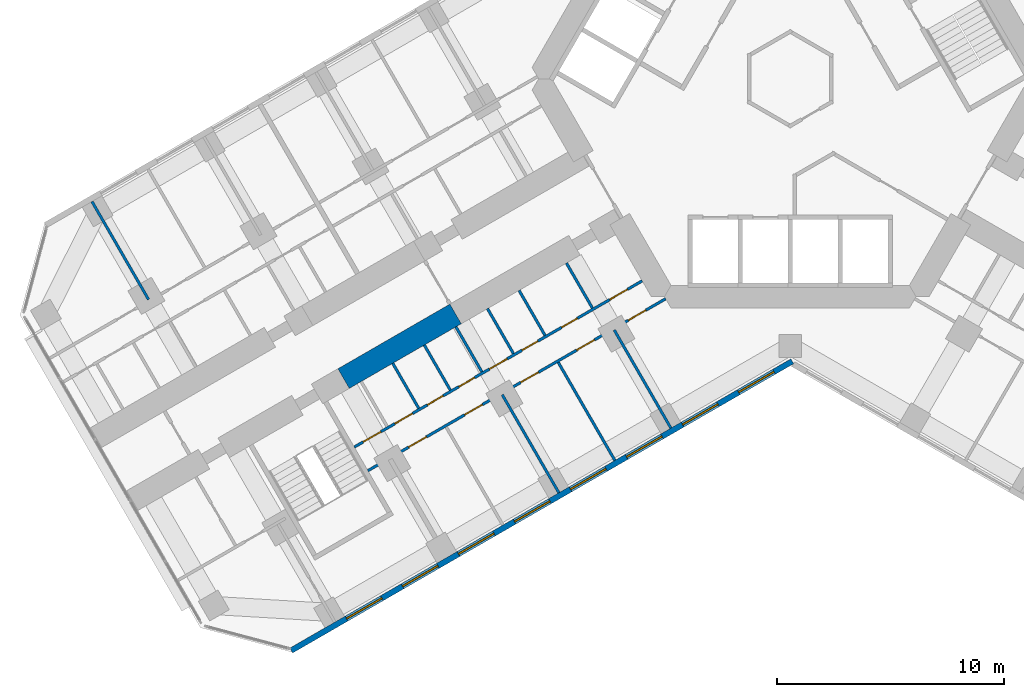
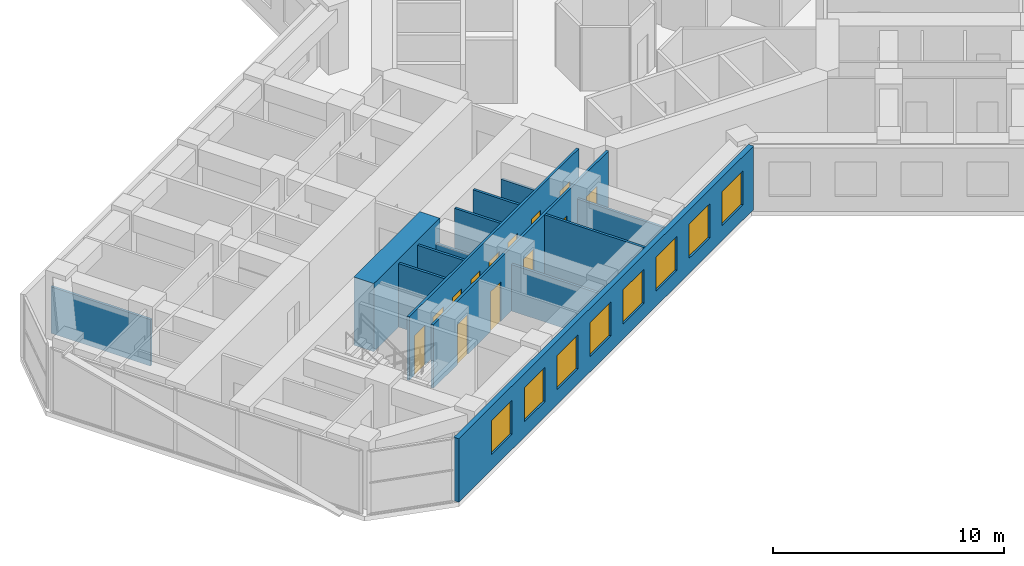
# One storey, part 11 of 21: 14 walls, 13 doors, 8 windows, 21 openings.
"""IFC4 building model written with IfcOpenShell, lengths in metres."""

from ifc_helpers import new_model, si_unit, direction, frame, frame_2d, origin, place, context, subcontext, project, spatial, rectangle, extrude, material, layer, layer_set, type_object, element, fill, save


model = new_model("IFC4")

# Units and contexts
model_context = context("Model", 3, precision=1e-05, world=origin(), true_north=direction((0.0, 1.0)))
body_context = subcontext(model_context, "Body", "Model", "MODEL_VIEW")
ifc_project = project(units=[si_unit("LENGTHUNIT", "METRE"), si_unit("AREAUNIT", "SQUARE_METRE"), si_unit("VOLUMEUNIT", "CUBIC_METRE"), si_unit("PLANEANGLEUNIT", "RADIAN"), si_unit("MASSUNIT", "GRAM", prefix="KILO")], contexts=[model_context])

# Site, building, storey
site_placement = place(None, origin())
site = spatial("IfcSite", under=ifc_project, at=site_placement, CompositionType="ELEMENT")
building_placement = place(site_placement, origin())
building = spatial("IfcBuilding", under=site, at=building_placement, Name="Kosmar Iwan School Tower", CompositionType="ELEMENT")
storey_placement = place(building_placement, frame((0.0, 0.0, 57.39990234375)))
storey = spatial("IfcBuildingStorey", under=building, at=storey_placement, Name="L13", CompositionType="ELEMENT", Elevation=57.39990234375)

# Wall
ifc_material_1 = material(Name="Concrete C50/60", Category="concrete")
ifc_layer_1 = layer(ifc_material_1, 1.0)
ifc_layer_set_1 = layer_set([ifc_layer_1], Name="Corridor buttress wall 1000")
wall_type_1 = type_object("IfcWallType", Name="Corridor buttress wall 1000", PredefinedType="SHEAR", material=ifc_layer_set_1)
wall_1_placement = place(storey_placement, frame((-14.7451171875, -10.360595703125, 0.0), z_axis=(0.0, 0.0, 1.0), x_axis=(-0.866015111908, -0.50001782563, 0.0)))
element("IfcWall", 1, at=wall_1_placement, inside=storey, type_object=wall_type_1, Name="Corridor wall BL bay 2", PredefinedType="SHEAR", context=body_context, shape_type="SweptSolid", body=[
    extrude(rectangle(XDim=5.699951171875, YDim=1.0, at=frame_2d((2.85009765625, 0.0))), origin(), (0.0, 0.0, 1.0), 3.60009765625),
])

# Wall, openings, doors
ifc_material_2 = material(Name="Gypsum board on steel studs", Category="steel")
ifc_layer_2 = layer(ifc_material_2, 0.1201171875)
ifc_layer_set_2 = layer_set([ifc_layer_2], Name="Dwelling partition 120")
wall_type_2 = type_object("IfcWallType", Name="Dwelling partition 120", PredefinedType="PARTITIONING", material=ifc_layer_set_2)
wall_2_placement = place(storey_placement, frame((-6.521728515625, -8.90380859375, 0.0), z_axis=(0.0, 0.0, 1.0), x_axis=(-0.866030734856, -0.4999907662, 0.0)))
wall_2 = element("IfcWall", 2, at=wall_2_placement, inside=storey, type_object=wall_type_2, Name="Partition L13-BL1-W1", PredefinedType="PARTITIONING", context=body_context, shape_type="SweptSolid", body=[
    extrude(rectangle(XDim=14.650146484375, YDim=0.1201171875, at=frame_2d((7.3251953125, 0.0))), origin(), (0.0, 0.0, 1.0), 3.35009765625),
])
opening_1_placement = place(wall_2_placement, frame((0.75, 0.0, 0.0)))
opening_1 = element("IfcOpeningElement", 3, at=opening_1_placement, cuts=wall_2, Name="Opening D2", PredefinedType="OPENING", context=body_context, shape_type="SweptSolid", body=[
    extrude(rectangle(XDim=0.89990234375, YDim=2.10009765625, at=frame_2d((0.449951171875, 1.050048828125))), frame((0.0, 0.072021484375, 0.0), z_axis=(0.0, -1.0, 0.0), x_axis=(1.0, 0.0, 0.0)), (0.0, 0.0, 1.0), 0.14404296875),
])
opening_2_placement = place(wall_2_placement, frame((3.304931640625, 0.0, 0.0)))
opening_2 = element("IfcOpeningElement", 4, at=opening_2_placement, cuts=wall_2, Name="Opening D3", PredefinedType="OPENING", context=body_context, shape_type="SweptSolid", body=[
    extrude(rectangle(XDim=0.800048828125, YDim=2.10009765625, at=frame_2d((0.39990234375, 1.050048828125))), frame((0.0, 0.072021484375, 0.0), z_axis=(0.0, -1.0, 0.0), x_axis=(1.0, 0.0, 0.0)), (0.0, 0.0, 1.0), 0.14404296875),
])
opening_3_placement = place(wall_2_placement, frame((5.313232421875, 0.0, 0.0)))
opening_3 = element("IfcOpeningElement", 5, at=opening_3_placement, cuts=wall_2, Name="Opening D3", PredefinedType="OPENING", context=body_context, shape_type="SweptSolid", body=[
    extrude(rectangle(XDim=0.800048828125, YDim=2.10009765625, at=frame_2d((0.39990234375, 1.050048828125))), frame((0.0, 0.072021484375, 0.0), z_axis=(0.0, -1.0, 0.0), x_axis=(1.0, 0.0, 0.0)), (0.0, 0.0, 1.0), 0.14404296875),
])
opening_4_placement = place(wall_2_placement, frame((6.8701171875, 0.0, 0.0)))
opening_4 = element("IfcOpeningElement", 6, at=opening_4_placement, cuts=wall_2, Name="Opening D2", PredefinedType="OPENING", context=body_context, shape_type="SweptSolid", body=[
    extrude(rectangle(XDim=0.89990234375, YDim=2.10009765625, at=frame_2d((0.449951171875, 1.050048828125))), frame((0.0, 0.072021484375, 0.0), z_axis=(0.0, -1.0, 0.0), x_axis=(1.0, 0.0, 0.0)), (0.0, 0.0, 1.0), 0.14404296875),
])
opening_5_placement = place(wall_2_placement, frame((8.526611328125, 0.0, 0.0)))
opening_5 = element("IfcOpeningElement", 7, at=opening_5_placement, cuts=wall_2, Name="Opening D3", PredefinedType="OPENING", context=body_context, shape_type="SweptSolid", body=[
    extrude(rectangle(XDim=0.800048828125, YDim=2.10009765625, at=frame_2d((0.39990234375, 1.050048828125))), frame((0.0, 0.072021484375, 0.0), z_axis=(0.0, -1.0, 0.0), x_axis=(1.0, 0.0, 0.0)), (0.0, 0.0, 1.0), 0.14404296875),
])
opening_6_placement = place(wall_2_placement, frame((10.13330078125, 0.0, 0.0)))
opening_6 = element("IfcOpeningElement", 8, at=opening_6_placement, cuts=wall_2, Name="Opening D3", PredefinedType="OPENING", context=body_context, shape_type="SweptSolid", body=[
    extrude(rectangle(XDim=0.800048828125, YDim=2.10009765625, at=frame_2d((0.39990234375, 1.050048828125))), frame((0.0, 0.072021484375, 0.0), z_axis=(0.0, -1.0, 0.0), x_axis=(1.0, 0.0, 0.0)), (0.0, 0.0, 1.0), 0.14404296875),
])
opening_7_placement = place(wall_2_placement, frame((11.68994140625, 0.0, 0.0)))
opening_7 = element("IfcOpeningElement", 9, at=opening_7_placement, cuts=wall_2, Name="Opening D2", PredefinedType="OPENING", context=body_context, shape_type="SweptSolid", body=[
    extrude(rectangle(XDim=0.89990234375, YDim=2.10009765625, at=frame_2d((0.449951171875, 1.050048828125))), frame((0.0, 0.072021484375, 0.0), z_axis=(0.0, -1.0, 0.0), x_axis=(1.0, 0.0, 0.0)), (0.0, 0.0, 1.0), 0.14404296875),
])
opening_8_placement = place(wall_2_placement, frame((13.296630859375, 0.0, 0.0)))
opening_8 = element("IfcOpeningElement", 10, at=opening_8_placement, cuts=wall_2, Name="Opening D2", PredefinedType="OPENING", context=body_context, shape_type="SweptSolid", body=[
    extrude(rectangle(XDim=0.89990234375, YDim=2.10009765625, at=frame_2d((0.449951171875, 1.050048828125))), frame((0.0, 0.072021484375, 0.0), z_axis=(0.0, -1.0, 0.0), x_axis=(1.0, 0.0, 0.0)), (0.0, 0.0, 1.0), 0.14404296875),
])
ifc_material_3 = material(Name="Timber door in timber frame", Category="wood")
door_type_1 = type_object("IfcDoorType", Name="Internal door 900x2100", OperationType="SINGLE_SWING_LEFT", PredefinedType="DOOR", material=ifc_material_3)
door_1_placement = place(opening_1_placement, origin())
door_1 = element("IfcDoor", 11, at=door_1_placement, inside=storey, type_object=door_type_1, Name="Entrance hall door L13-BL1-S1", OperationType="SINGLE_SWING_LEFT", OverallHeight=2.10009765625, OverallWidth=0.89990234375, PredefinedType="DOOR", context=body_context, shape_type="SweptSolid", body=[
    extrude(rectangle(XDim=0.89990234375, YDim=2.10009765625, at=frame_2d((0.449951171875, 1.050048828125))), frame((0.0, 0.02490234375, 0.0), z_axis=(0.0, -1.0, 0.0), x_axis=(1.0, 0.0, 0.0)), (0.0, 0.0, 1.0), 0.050048828125),
])
fill(opening_1, door_1)
door_2_placement = place(opening_4_placement, origin())
door_2 = element("IfcDoor", 12, at=door_2_placement, inside=storey, type_object=door_type_1, Name="Pantry door L13-BL1-S4", OperationType="SINGLE_SWING_LEFT", OverallHeight=2.10009765625, OverallWidth=0.89990234375, PredefinedType="DOOR", context=body_context, shape_type="SweptSolid", body=[
    extrude(rectangle(XDim=0.89990234375, YDim=2.10009765625, at=frame_2d((0.449951171875, 1.050048828125))), frame((0.0, 0.02490234375, 0.0), z_axis=(0.0, -1.0, 0.0), x_axis=(1.0, 0.0, 0.0)), (0.0, 0.0, 1.0), 0.050048828125),
])
fill(opening_4, door_2)
door_3_placement = place(opening_7_placement, origin())
door_3 = element("IfcDoor", 13, at=door_3_placement, inside=storey, type_object=door_type_1, Name="Utility room door L13-BL1-S7", OperationType="SINGLE_SWING_RIGHT", OverallHeight=2.10009765625, OverallWidth=0.89990234375, PredefinedType="DOOR", context=body_context, shape_type="SweptSolid", body=[
    extrude(rectangle(XDim=0.89990234375, YDim=2.10009765625, at=frame_2d((0.449951171875, 1.050048828125))), frame((0.0, 0.02490234375, 0.0), z_axis=(0.0, -1.0, 0.0), x_axis=(1.0, 0.0, 0.0)), (0.0, 0.0, 1.0), 0.050048828125),
])
fill(opening_7, door_3)
door_4_placement = place(opening_8_placement, frame((0.89990234375, 0.0, 0.0), z_axis=(0.0, 0.0, 1.0), x_axis=(-1.0, 0.0, 0.0)))
door_4 = element("IfcDoor", 14, at=door_4_placement, inside=storey, type_object=door_type_1, Name="Dressing room door L13-BL1-S8", OperationType="SINGLE_SWING_LEFT", OverallHeight=2.10009765625, OverallWidth=0.89990234375, PredefinedType="DOOR", context=body_context, shape_type="SweptSolid", body=[
    extrude(rectangle(XDim=0.89990234375, YDim=2.10009765625, at=frame_2d((0.449951171875, 1.050048828125))), frame((0.0, 0.02490234375, 0.0), z_axis=(0.0, -1.0, 0.0), x_axis=(1.0, 0.0, 0.0)), (0.0, 0.0, 1.0), 0.050048828125),
])
fill(opening_8, door_4)
ifc_material_4 = material(Name="Timber door in timber frame", Category="wood")
door_type_2 = type_object("IfcDoorType", Name="Sanitary room door 800x2100", OperationType="SINGLE_SWING_LEFT", PredefinedType="DOOR", material=ifc_material_4)
door_5_placement = place(opening_2_placement, origin())
door_5 = element("IfcDoor", 15, at=door_5_placement, inside=storey, type_object=door_type_2, Name="Bathroom door L13-BL1-S2", OperationType="SINGLE_SWING_LEFT", OverallHeight=2.10009765625, OverallWidth=0.800048828125, PredefinedType="DOOR", context=body_context, shape_type="SweptSolid", body=[
    extrude(rectangle(XDim=0.800048828125, YDim=2.10009765625, at=frame_2d((0.39990234375, 1.050048828125))), frame((0.0, 0.02490234375, 0.0), z_axis=(0.0, -1.0, 0.0), x_axis=(1.0, 0.0, 0.0)), (0.0, 0.0, 1.0), 0.050048828125),
])
fill(opening_2, door_5)
door_6_placement = place(opening_3_placement, origin())
door_6 = element("IfcDoor", 16, at=door_6_placement, inside=storey, type_object=door_type_2, Name="Shower room door L13-BL1-S3", OperationType="SINGLE_SWING_LEFT", OverallHeight=2.10009765625, OverallWidth=0.800048828125, PredefinedType="DOOR", context=body_context, shape_type="SweptSolid", body=[
    extrude(rectangle(XDim=0.800048828125, YDim=2.10009765625, at=frame_2d((0.39990234375, 1.050048828125))), frame((0.0, 0.02490234375, 0.0), z_axis=(0.0, -1.0, 0.0), x_axis=(1.0, 0.0, 0.0)), (0.0, 0.0, 1.0), 0.050048828125),
])
fill(opening_3, door_6)
door_7_placement = place(opening_5_placement, origin())
door_7 = element("IfcDoor", 17, at=door_7_placement, inside=storey, type_object=door_type_2, Name="WC door L13-BL1-S5", OperationType="SINGLE_SWING_RIGHT", OverallHeight=2.10009765625, OverallWidth=0.800048828125, PredefinedType="DOOR", context=body_context, shape_type="SweptSolid", body=[
    extrude(rectangle(XDim=0.800048828125, YDim=2.10009765625, at=frame_2d((0.39990234375, 1.050048828125))), frame((0.0, 0.02490234375, 0.0), z_axis=(0.0, -1.0, 0.0), x_axis=(1.0, 0.0, 0.0)), (0.0, 0.0, 1.0), 0.050048828125),
])
fill(opening_5, door_7)
door_8_placement = place(opening_6_placement, origin())
door_8 = element("IfcDoor", 18, at=door_8_placement, inside=storey, type_object=door_type_2, Name="Store door L13-BL1-S6", OperationType="SINGLE_SWING_RIGHT", OverallHeight=2.10009765625, OverallWidth=0.800048828125, PredefinedType="DOOR", context=body_context, shape_type="SweptSolid", body=[
    extrude(rectangle(XDim=0.800048828125, YDim=2.10009765625, at=frame_2d((0.39990234375, 1.050048828125))), frame((0.0, 0.02490234375, 0.0), z_axis=(0.0, -1.0, 0.0), x_axis=(1.0, 0.0, 0.0)), (0.0, 0.0, 1.0), 0.050048828125),
])
fill(opening_6, door_8)

wall_3_placement = place(storey_placement, frame((-5.48876953125, -9.693115234375, 0.0), z_axis=(0.0, 0.0, 1.0), x_axis=(-0.866028061085, -0.499995397393, 0.0)))
wall_3 = element("IfcWall", 19, at=wall_3_placement, inside=storey, type_object=wall_type_2, Name="Partition L13-BL1-W2", PredefinedType="PARTITIONING", context=body_context, shape_type="SweptSolid", body=[
    extrude(rectangle(XDim=15.150146484375, YDim=0.1201171875, at=frame_2d((7.5751953125, 0.0))), origin(), (0.0, 0.0, 1.0), 3.35009765625),
])
opening_9_placement = place(wall_3_placement, frame((1.0, 0.0, 0.0)))
opening_9 = element("IfcOpeningElement", 20, at=opening_9_placement, cuts=wall_3, Name="Opening D2", PredefinedType="OPENING", context=body_context, shape_type="SweptSolid", body=[
    extrude(rectangle(XDim=0.89990234375, YDim=2.10009765625, at=frame_2d((0.449951171875, 1.050048828125))), frame((0.0, 0.072021484375, 0.0), z_axis=(0.0, -1.0, 0.0), x_axis=(1.0, 0.0, 0.0)), (0.0, 0.0, 1.0), 0.14404296875),
])
opening_10_placement = place(wall_3_placement, frame((3.625, 0.0, 0.0)))
opening_10 = element("IfcOpeningElement", 21, at=opening_10_placement, cuts=wall_3, Name="Opening D2", PredefinedType="OPENING", context=body_context, shape_type="SweptSolid", body=[
    extrude(rectangle(XDim=0.89990234375, YDim=2.10009765625, at=frame_2d((0.449951171875, 1.050048828125))), frame((0.0, 0.072021484375, 0.0), z_axis=(0.0, -1.0, 0.0), x_axis=(1.0, 0.0, 0.0)), (0.0, 0.0, 1.0), 0.14404296875),
])
opening_11_placement = place(wall_3_placement, frame((6.47509765625, 0.0, 0.0)))
opening_11 = element("IfcOpeningElement", 22, at=opening_11_placement, cuts=wall_3, Name="Opening D2", PredefinedType="OPENING", context=body_context, shape_type="SweptSolid", body=[
    extrude(rectangle(XDim=0.89990234375, YDim=2.10009765625, at=frame_2d((0.449951171875, 1.050048828125))), frame((0.0, 0.072021484375, 0.0), z_axis=(0.0, -1.0, 0.0), x_axis=(1.0, 0.0, 0.0)), (0.0, 0.0, 1.0), 0.14404296875),
])
opening_12_placement = place(wall_3_placement, frame((9.324951171875, 0.0, 0.0)))
opening_12 = element("IfcOpeningElement", 23, at=opening_12_placement, cuts=wall_3, Name="Opening D2", PredefinedType="OPENING", context=body_context, shape_type="SweptSolid", body=[
    extrude(rectangle(XDim=0.89990234375, YDim=2.10009765625, at=frame_2d((0.449951171875, 1.050048828125))), frame((0.0, 0.072021484375, 0.0), z_axis=(0.0, -1.0, 0.0), x_axis=(1.0, 0.0, 0.0)), (0.0, 0.0, 1.0), 0.14404296875),
])
opening_13_placement = place(wall_3_placement, frame((12.175048828125, 0.0, 0.0)))
opening_13 = element("IfcOpeningElement", 24, at=opening_13_placement, cuts=wall_3, Name="Opening D2", PredefinedType="OPENING", context=body_context, shape_type="SweptSolid", body=[
    extrude(rectangle(XDim=0.89990234375, YDim=2.10009765625, at=frame_2d((0.449951171875, 1.050048828125))), frame((0.0, 0.072021484375, 0.0), z_axis=(0.0, -1.0, 0.0), x_axis=(1.0, 0.0, 0.0)), (0.0, 0.0, 1.0), 0.14404296875),
])
door_9_placement = place(opening_9_placement, origin())
door_9 = element("IfcDoor", 25, at=door_9_placement, inside=storey, type_object=door_type_1, Name="Living room and kitchen door L13-BL1-F1", OperationType="SINGLE_SWING_LEFT", OverallHeight=2.10009765625, OverallWidth=0.89990234375, PredefinedType="DOOR", context=body_context, shape_type="SweptSolid", body=[
    extrude(rectangle(XDim=0.89990234375, YDim=2.10009765625, at=frame_2d((0.449951171875, 1.050048828125))), frame((0.0, 0.02490234375, 0.0), z_axis=(0.0, -1.0, 0.0), x_axis=(1.0, 0.0, 0.0)), (0.0, 0.0, 1.0), 0.050048828125),
])
fill(opening_9, door_9)
door_10_placement = place(opening_10_placement, origin())
door_10 = element("IfcDoor", 26, at=door_10_placement, inside=storey, type_object=door_type_1, Name="Study door L13-BL1-F2", OperationType="SINGLE_SWING_RIGHT", OverallHeight=2.10009765625, OverallWidth=0.89990234375, PredefinedType="DOOR", context=body_context, shape_type="SweptSolid", body=[
    extrude(rectangle(XDim=0.89990234375, YDim=2.10009765625, at=frame_2d((0.449951171875, 1.050048828125))), frame((0.0, 0.02490234375, 0.0), z_axis=(0.0, -1.0, 0.0), x_axis=(1.0, 0.0, 0.0)), (0.0, 0.0, 1.0), 0.050048828125),
])
fill(opening_10, door_10)
door_11_placement = place(opening_11_placement, origin())
door_11 = element("IfcDoor", 27, at=door_11_placement, inside=storey, type_object=door_type_1, Name="Bedroom 2 door L13-BL1-F3", OperationType="SINGLE_SWING_LEFT", OverallHeight=2.10009765625, OverallWidth=0.89990234375, PredefinedType="DOOR", context=body_context, shape_type="SweptSolid", body=[
    extrude(rectangle(XDim=0.89990234375, YDim=2.10009765625, at=frame_2d((0.449951171875, 1.050048828125))), frame((0.0, 0.02490234375, 0.0), z_axis=(0.0, -1.0, 0.0), x_axis=(1.0, 0.0, 0.0)), (0.0, 0.0, 1.0), 0.050048828125),
])
fill(opening_11, door_11)
door_12_placement = place(opening_12_placement, origin())
door_12 = element("IfcDoor", 28, at=door_12_placement, inside=storey, type_object=door_type_1, Name="Study door L13-BL1-F4", OperationType="SINGLE_SWING_RIGHT", OverallHeight=2.10009765625, OverallWidth=0.89990234375, PredefinedType="DOOR", context=body_context, shape_type="SweptSolid", body=[
    extrude(rectangle(XDim=0.89990234375, YDim=2.10009765625, at=frame_2d((0.449951171875, 1.050048828125))), frame((0.0, 0.02490234375, 0.0), z_axis=(0.0, -1.0, 0.0), x_axis=(1.0, 0.0, 0.0)), (0.0, 0.0, 1.0), 0.050048828125),
])
fill(opening_12, door_12)
door_13_placement = place(opening_13_placement, origin())
door_13 = element("IfcDoor", 29, at=door_13_placement, inside=storey, type_object=door_type_1, Name="Bedroom 1 door L13-BL1-F5", OperationType="SINGLE_SWING_LEFT", OverallHeight=2.10009765625, OverallWidth=0.89990234375, PredefinedType="DOOR", context=body_context, shape_type="SweptSolid", body=[
    extrude(rectangle(XDim=0.89990234375, YDim=2.10009765625, at=frame_2d((0.449951171875, 1.050048828125))), frame((0.0, 0.02490234375, 0.0), z_axis=(0.0, -1.0, 0.0), x_axis=(1.0, 0.0, 0.0)), (0.0, 0.0, 1.0), 0.050048828125),
])
fill(opening_13, door_13)

# Walls
wall_4_placement = place(storey_placement, frame((-7.75390625, -11.070068359375, 0.0), z_axis=(0.0, 0.0, 1.0), x_axis=(0.500033033937, -0.866006330792, 0.0)))
element("IfcWall", 30, at=wall_4_placement, inside=storey, type_object=wall_type_2, Name="Partition L13-BL1-X1", PredefinedType="PARTITIONING", context=body_context, shape_type="SweptSolid", body=[
    extrude(rectangle(XDim=4.989990234375, YDim=0.1201171875, at=frame_2d((2.4951171875, 0.0))), origin(), (0.0, 0.0, 1.0), 2.4501953125),
])
wall_5_placement = place(storey_placement, frame((-10.221923828125, -12.4951171875, 0.0), z_axis=(0.0, 0.0, 1.0), x_axis=(0.499996339024, -0.86602751744, 0.0)))
element("IfcWall", 31, at=wall_5_placement, inside=storey, type_object=wall_type_2, Name="Partition L13-BL1-X2", PredefinedType="PARTITIONING", context=body_context, shape_type="SweptSolid", body=[
    extrude(rectangle(XDim=4.98974609375, YDim=0.1201171875, at=frame_2d((2.494873046875, 0.0))), origin(), (0.0, 0.0, 1.0), 3.35009765625),
])
wall_6_placement = place(storey_placement, frame((-12.690185546875, -13.919921875, 0.0), z_axis=(0.0, 0.0, 1.0), x_axis=(0.500011847778, -0.866018563358, 0.0)))
element("IfcWall", 32, at=wall_6_placement, inside=storey, type_object=wall_type_2, Name="Partition L13-BL1-X3", PredefinedType="PARTITIONING", context=body_context, shape_type="SweptSolid", body=[
    extrude(rectangle(XDim=4.990234375, YDim=0.1201171875, at=frame_2d((2.4951171875, 0.0))), origin(), (0.0, 0.0, 1.0), 2.4501953125),
])
wall_7_placement = place(storey_placement, frame((-9.86181640625, -8.11865234375, 0.0), z_axis=(0.0, 0.0, 1.0), x_axis=(0.500014693593, -0.866016920268, 0.0)))
element("IfcWall", 33, at=wall_7_placement, inside=storey, type_object=wall_type_2, Name="Partition L13-BL1-Y1", PredefinedType="PARTITIONING", context=body_context, shape_type="SweptSolid", body=[
    extrude(rectangle(XDim=2.2900390625, YDim=0.1201171875, at=frame_2d((1.14501953125, 0.0))), origin(), (0.0, 0.0, 1.0), 2.4501953125),
])
for number, where, z_axis, x_axis, name in (
    (34, (-11.948974609375, -9.32373046875, 0.0), (0.0, 0.0, 1.0), (0.500014693593, -0.866016920268, 0.0), "Partition L13-BL1-Y2"),
    (35, (-13.340576171875, -10.126953125, 0.0), (0.0, 0.0, 1.0), (0.500014693593, -0.866016920268, 0.0), "Partition L13-BL1-Y3"),
):
    element("IfcWall", number, at=place(storey_placement, frame(where, z_axis=z_axis, x_axis=x_axis)), inside=storey, type_object=wall_type_2, Name=name, PredefinedType="PARTITIONING", context=body_context, shape_type="SweptSolid", body=[
        extrude(rectangle(XDim=2.2900390625, YDim=0.1201171875, at=frame_2d((1.14501953125, 0.0))), origin(), (0.0, 0.0, 1.0), 3.35009765625),
    ])
wall_8_placement = place(storey_placement, frame((-14.73193359375, -10.930419921875, 0.0), z_axis=(0.0, 0.0, 1.0), x_axis=(0.500014693593, -0.866016920268, 0.0)))
element("IfcWall", 36, at=wall_8_placement, inside=storey, type_object=wall_type_2, Name="Partition L13-BL1-Y4", PredefinedType="PARTITIONING", context=body_context, shape_type="SweptSolid", body=[
    extrude(rectangle(XDim=2.2900390625, YDim=0.1201171875, at=frame_2d((1.14501953125, 0.0))), origin(), (0.0, 0.0, 1.0), 2.4501953125),
])
wall_9_placement = place(storey_placement, frame((-16.123291015625, -11.733642578125, 0.0), z_axis=(0.0, 0.0, 1.0), x_axis=(0.500014693593, -0.866016920268, 0.0)))
element("IfcWall", 37, at=wall_9_placement, inside=storey, type_object=wall_type_2, Name="Partition L13-BL1-Y5", PredefinedType="PARTITIONING", context=body_context, shape_type="SweptSolid", body=[
    extrude(rectangle(XDim=2.2900390625, YDim=0.1201171875, at=frame_2d((1.14501953125, 0.0))), origin(), (0.0, 0.0, 1.0), 3.35009765625),
])
wall_10_placement = place(storey_placement, frame((-17.5146484375, -12.536865234375, 0.0), z_axis=(0.0, 0.0, 1.0), x_axis=(0.499968531483, -0.866043571379, 0.0)))
element("IfcWall", 38, at=wall_10_placement, inside=storey, type_object=wall_type_2, Name="Partition L13-BL1-Y6", PredefinedType="PARTITIONING", context=body_context, shape_type="SweptSolid", body=[
    extrude(rectangle(XDim=2.290283203125, YDim=0.1201171875, at=frame_2d((1.14501953125, 0.0))), origin(), (0.0, 0.0, 1.0), 3.35009765625),
])
wall_11_placement = place(storey_placement, frame((-28.27294921875, -9.72998046875, 0.0), z_axis=(0.0, 0.0, 1.0), x_axis=(-0.499975153383, 0.86603974851, 0.0)))
element("IfcWall", 39, at=wall_11_placement, inside=storey, type_object=wall_type_2, Name="Partition L13-BR2-X3", PredefinedType="PARTITIONING", context=body_context, shape_type="SweptSolid", body=[
    extrude(rectangle(XDim=4.989990234375, YDim=0.1201171875, at=frame_2d((2.4951171875, 0.0))), origin(), (0.0, 0.0, 1.0), 2.4501953125),
])

# Wall, openings, windows
ifc_material_5 = material(Name="Black aluminium rainscreen on insulated framing", Category="aluminium")
ifc_layer_3 = layer(ifc_material_5, 0.25)
ifc_layer_set_3 = layer_set([ifc_layer_3], Name="External wall rainscreen 250")
wall_type_3 = type_object("IfcWallType", Name="External wall rainscreen 250", PredefinedType="SOLIDWALL", material=ifc_layer_set_3)
wall_12_placement = place(storey_placement, frame((0.088134765625, -12.44873046875, 0.0), z_axis=(0.0, 0.0, 1.0), x_axis=(-0.866026390279, -0.499998291337, 0.0)))
wall_12 = element("IfcWall", 40, at=wall_12_placement, inside=storey, type_object=wall_type_3, Name="External wall BL L13", PredefinedType="SOLIDWALL", context=body_context, shape_type="SweptSolid", body=[
    extrude(rectangle(XDim=25.4873046875, YDim=0.25, at=frame_2d((12.74365234375, 0.0))), origin(), (0.0, 0.0, 1.0), 3.35009765625),
])
opening_14_placement = place(wall_12_placement, frame((0.927001953125, 0.0, 0.800048828125)))
opening_14 = element("IfcOpeningElement", 41, at=opening_14_placement, cuts=wall_12, Name="Opening W1", PredefinedType="OPENING", context=body_context, shape_type="SweptSolid", body=[
    extrude(rectangle(XDim=1.800048828125, YDim=1.800048828125, at=frame_2d((0.89990234375, 0.89990234375))), frame((0.0, 0.136962890625, 0.0), z_axis=(0.0, -1.0, 0.0), x_axis=(1.0, 0.0, 0.0)), (0.0, 0.0, 1.0), 0.27392578125),
])
opening_15_placement = place(wall_12_placement, frame((3.777099609375, 0.0, 0.800048828125)))
opening_15 = element("IfcOpeningElement", 42, at=opening_15_placement, cuts=wall_12, Name="Opening W1", PredefinedType="OPENING", context=body_context, shape_type="SweptSolid", body=[
    extrude(rectangle(XDim=1.800048828125, YDim=1.800048828125, at=frame_2d((0.89990234375, 0.89990234375))), frame((0.0, 0.136962890625, 0.0), z_axis=(0.0, -1.0, 0.0), x_axis=(1.0, 0.0, 0.0)), (0.0, 0.0, 1.0), 0.27392578125),
])
opening_16_placement = place(wall_12_placement, frame((6.626953125, 0.0, 0.800048828125)))
opening_16 = element("IfcOpeningElement", 43, at=opening_16_placement, cuts=wall_12, Name="Opening W1", PredefinedType="OPENING", context=body_context, shape_type="SweptSolid", body=[
    extrude(rectangle(XDim=1.800048828125, YDim=1.800048828125, at=frame_2d((0.89990234375, 0.89990234375))), frame((0.0, 0.136962890625, 0.0), z_axis=(0.0, -1.0, 0.0), x_axis=(1.0, 0.0, 0.0)), (0.0, 0.0, 1.0), 0.27392578125),
])
opening_17_placement = place(wall_12_placement, frame((9.47705078125, 0.0, 0.800048828125)))
opening_17 = element("IfcOpeningElement", 44, at=opening_17_placement, cuts=wall_12, Name="Opening W1", PredefinedType="OPENING", context=body_context, shape_type="SweptSolid", body=[
    extrude(rectangle(XDim=1.800048828125, YDim=1.800048828125, at=frame_2d((0.89990234375, 0.89990234375))), frame((0.0, 0.136962890625, 0.0), z_axis=(0.0, -1.0, 0.0), x_axis=(1.0, 0.0, 0.0)), (0.0, 0.0, 1.0), 0.27392578125),
])
opening_18_placement = place(wall_12_placement, frame((12.326904296875, 0.0, 0.800048828125)))
opening_18 = element("IfcOpeningElement", 45, at=opening_18_placement, cuts=wall_12, Name="Opening W1", PredefinedType="OPENING", context=body_context, shape_type="SweptSolid", body=[
    extrude(rectangle(XDim=1.800048828125, YDim=1.800048828125, at=frame_2d((0.89990234375, 0.89990234375))), frame((0.0, 0.136962890625, 0.0), z_axis=(0.0, -1.0, 0.0), x_axis=(1.0, 0.0, 0.0)), (0.0, 0.0, 1.0), 0.27392578125),
])
opening_19_placement = place(wall_12_placement, frame((15.177001953125, 0.0, 0.800048828125)))
opening_19 = element("IfcOpeningElement", 46, at=opening_19_placement, cuts=wall_12, Name="Opening W1", PredefinedType="OPENING", context=body_context, shape_type="SweptSolid", body=[
    extrude(rectangle(XDim=1.800048828125, YDim=1.800048828125, at=frame_2d((0.89990234375, 0.89990234375))), frame((0.0, 0.136962890625, 0.0), z_axis=(0.0, -1.0, 0.0), x_axis=(1.0, 0.0, 0.0)), (0.0, 0.0, 1.0), 0.27392578125),
])
opening_20_placement = place(wall_12_placement, frame((18.027099609375, 0.0, 0.800048828125)))
opening_20 = element("IfcOpeningElement", 47, at=opening_20_placement, cuts=wall_12, Name="Opening W1", PredefinedType="OPENING", context=body_context, shape_type="SweptSolid", body=[
    extrude(rectangle(XDim=1.800048828125, YDim=1.800048828125, at=frame_2d((0.89990234375, 0.89990234375))), frame((0.0, 0.136962890625, 0.0), z_axis=(0.0, -1.0, 0.0), x_axis=(1.0, 0.0, 0.0)), (0.0, 0.0, 1.0), 0.27392578125),
])
opening_21_placement = place(wall_12_placement, frame((20.876953125, 0.0, 0.800048828125)))
opening_21 = element("IfcOpeningElement", 48, at=opening_21_placement, cuts=wall_12, Name="Opening W1", PredefinedType="OPENING", context=body_context, shape_type="SweptSolid", body=[
    extrude(rectangle(XDim=1.800048828125, YDim=1.800048828125, at=frame_2d((0.89990234375, 0.89990234375))), frame((0.0, 0.136962890625, 0.0), z_axis=(0.0, -1.0, 0.0), x_axis=(1.0, 0.0, 0.0)), (0.0, 0.0, 1.0), 0.27392578125),
])
ifc_material_6 = material(Name="Black aluminium frame with dark triple glazing", Category="aluminium")
window_type = type_object("IfcWindowType", Name="Window 1800x1800", PartitioningType="SINGLE_PANEL", PredefinedType="WINDOW", material=ifc_material_6)
window_1_placement = place(opening_14_placement, origin())
window_1 = element("IfcWindow", 49, at=window_1_placement, inside=storey, type_object=window_type, Name="Window BL L13 -1", OverallHeight=1.800048828125, OverallWidth=1.800048828125, PartitioningType="SINGLE_PANEL", PredefinedType="WINDOW", context=body_context, shape_type="SweptSolid", body=[
    extrude(rectangle(XDim=1.800048828125, YDim=1.800048828125, at=frame_2d((0.89990234375, 0.89990234375))), frame((0.0, 0.030029296875, 0.0), z_axis=(0.0, -1.0, 0.0), x_axis=(1.0, 0.0, 0.0)), (0.0, 0.0, 1.0), 0.06005859375),
])
fill(opening_14, window_1)
window_2_placement = place(opening_15_placement, origin())
window_2 = element("IfcWindow", 50, at=window_2_placement, inside=storey, type_object=window_type, Name="Window BL L13 0", OverallHeight=1.800048828125, OverallWidth=1.800048828125, PartitioningType="SINGLE_PANEL", PredefinedType="WINDOW", context=body_context, shape_type="SweptSolid", body=[
    extrude(rectangle(XDim=1.800048828125, YDim=1.800048828125, at=frame_2d((0.89990234375, 0.89990234375))), frame((0.0, 0.030029296875, 0.0), z_axis=(0.0, -1.0, 0.0), x_axis=(1.0, 0.0, 0.0)), (0.0, 0.0, 1.0), 0.06005859375),
])
fill(opening_15, window_2)
window_3_placement = place(opening_16_placement, origin())
window_3 = element("IfcWindow", 51, at=window_3_placement, inside=storey, type_object=window_type, Name="Window BL L13 1", OverallHeight=1.800048828125, OverallWidth=1.800048828125, PartitioningType="SINGLE_PANEL", PredefinedType="WINDOW", context=body_context, shape_type="SweptSolid", body=[
    extrude(rectangle(XDim=1.800048828125, YDim=1.800048828125, at=frame_2d((0.89990234375, 0.89990234375))), frame((0.0, 0.030029296875, 0.0), z_axis=(0.0, -1.0, 0.0), x_axis=(1.0, 0.0, 0.0)), (0.0, 0.0, 1.0), 0.06005859375),
])
fill(opening_16, window_3)
window_4_placement = place(opening_17_placement, origin())
window_4 = element("IfcWindow", 52, at=window_4_placement, inside=storey, type_object=window_type, Name="Window BL L13 2", OverallHeight=1.800048828125, OverallWidth=1.800048828125, PartitioningType="SINGLE_PANEL", PredefinedType="WINDOW", context=body_context, shape_type="SweptSolid", body=[
    extrude(rectangle(XDim=1.800048828125, YDim=1.800048828125, at=frame_2d((0.89990234375, 0.89990234375))), frame((0.0, 0.030029296875, 0.0), z_axis=(0.0, -1.0, 0.0), x_axis=(1.0, 0.0, 0.0)), (0.0, 0.0, 1.0), 0.06005859375),
])
fill(opening_17, window_4)
window_5_placement = place(opening_18_placement, origin())
window_5 = element("IfcWindow", 53, at=window_5_placement, inside=storey, type_object=window_type, Name="Window BL L13 3", OverallHeight=1.800048828125, OverallWidth=1.800048828125, PartitioningType="SINGLE_PANEL", PredefinedType="WINDOW", context=body_context, shape_type="SweptSolid", body=[
    extrude(rectangle(XDim=1.800048828125, YDim=1.800048828125, at=frame_2d((0.89990234375, 0.89990234375))), frame((0.0, 0.030029296875, 0.0), z_axis=(0.0, -1.0, 0.0), x_axis=(1.0, 0.0, 0.0)), (0.0, 0.0, 1.0), 0.06005859375),
])
fill(opening_18, window_5)
window_6_placement = place(opening_19_placement, origin())
window_6 = element("IfcWindow", 54, at=window_6_placement, inside=storey, type_object=window_type, Name="Window BL L13 4", OverallHeight=1.800048828125, OverallWidth=1.800048828125, PartitioningType="SINGLE_PANEL", PredefinedType="WINDOW", context=body_context, shape_type="SweptSolid", body=[
    extrude(rectangle(XDim=1.800048828125, YDim=1.800048828125, at=frame_2d((0.89990234375, 0.89990234375))), frame((0.0, 0.030029296875, 0.0), z_axis=(0.0, -1.0, 0.0), x_axis=(1.0, 0.0, 0.0)), (0.0, 0.0, 1.0), 0.06005859375),
])
fill(opening_19, window_6)
window_7_placement = place(opening_20_placement, origin())
window_7 = element("IfcWindow", 55, at=window_7_placement, inside=storey, type_object=window_type, Name="Window BL L13 5", OverallHeight=1.800048828125, OverallWidth=1.800048828125, PartitioningType="SINGLE_PANEL", PredefinedType="WINDOW", context=body_context, shape_type="SweptSolid", body=[
    extrude(rectangle(XDim=1.800048828125, YDim=1.800048828125, at=frame_2d((0.89990234375, 0.89990234375))), frame((0.0, 0.030029296875, 0.0), z_axis=(0.0, -1.0, 0.0), x_axis=(1.0, 0.0, 0.0)), (0.0, 0.0, 1.0), 0.06005859375),
])
fill(opening_20, window_7)
window_8_placement = place(opening_21_placement, origin())
window_8 = element("IfcWindow", 56, at=window_8_placement, inside=storey, type_object=window_type, Name="Window BL L13 6", OverallHeight=1.800048828125, OverallWidth=1.800048828125, PartitioningType="SINGLE_PANEL", PredefinedType="WINDOW", context=body_context, shape_type="SweptSolid", body=[
    extrude(rectangle(XDim=1.800048828125, YDim=1.800048828125, at=frame_2d((0.89990234375, 0.89990234375))), frame((0.0, 0.030029296875, 0.0), z_axis=(0.0, -1.0, 0.0), x_axis=(1.0, 0.0, 0.0)), (0.0, 0.0, 1.0), 0.06005859375),
])
fill(opening_21, window_8)

save(model, "model.ifc")
